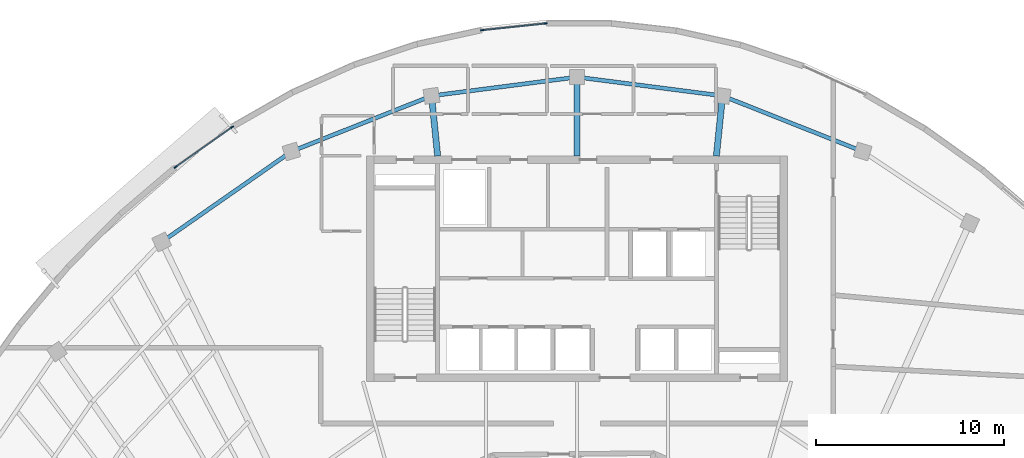
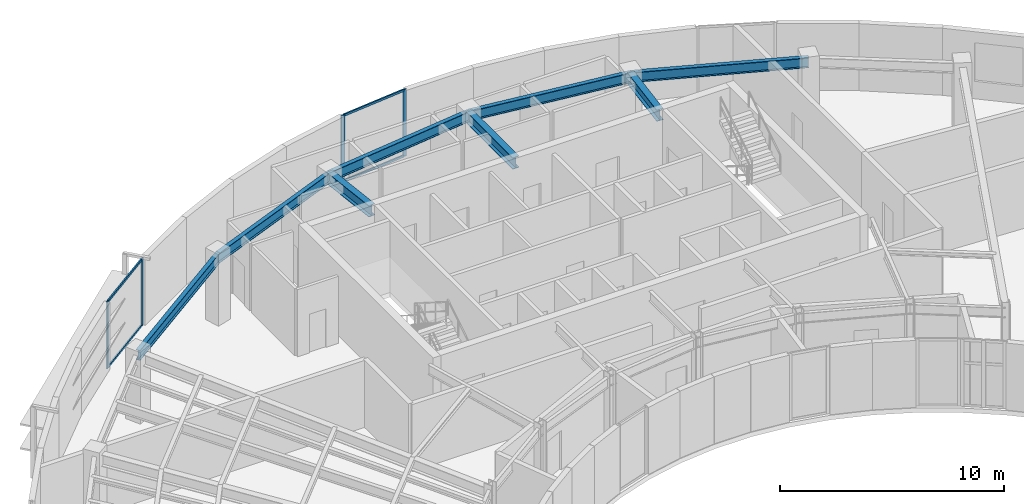
# One storey, part 4 of 12: 8 beams, 8 members, 2 elements without a shape of their own.
"""IFC4 building model written with IfcOpenShell, lengths in metres."""

from ifc_helpers import new_model, si_unit, direction, frame, origin, origin_2d, place, context, subcontext, project, spatial, rectangle, i_section, extrude, source, transform, mapped, material, layer, layer_set, material_profile, profile_set, type_object, element, aggregate, save


model = new_model("IFC4")

# Units and contexts
model_context = context("Model", 3, precision=1e-05, world=origin(), true_north=direction((0.0, 1.0)))
body_context = subcontext(model_context, "Body", "Model", "MODEL_VIEW")
ifc_project = project(units=[si_unit("LENGTHUNIT", "METRE"), si_unit("AREAUNIT", "SQUARE_METRE"), si_unit("VOLUMEUNIT", "CUBIC_METRE"), si_unit("PLANEANGLEUNIT", "RADIAN"), si_unit("MASSUNIT", "GRAM", prefix="KILO")], contexts=[model_context])

# Site, building, storey
site_placement = place(None, origin())
site = spatial("IfcSite", under=ifc_project, at=site_placement, CompositionType="ELEMENT")
building_placement = place(site_placement, origin())
building = spatial("IfcBuilding", under=site, at=building_placement, Name="Breltana Convention Tower", CompositionType="ELEMENT")
storey_placement = place(building_placement, frame((0.0, 0.0, 264.0)))
storey = spatial("IfcBuildingStorey", under=building, at=storey_placement, Name="L64", CompositionType="ELEMENT", Elevation=264.0)

# Beams
ifc_material_1 = material(Name="Steel ASTM A992 Grade 50", Category="steel")
ifc_material_profile_1 = material_profile(ifc_material_1, i_section(OverallWidth=0.326904296875, OverallDepth=0.6220703125, WebThickness=0.015380859375, FlangeThickness=0.0244140625, at=origin_2d()), Name="W24X131")
ifc_profile_set_1 = profile_set([ifc_material_profile_1], Name="Steel ASTM A992 Grade 50")
beam_type_1 = type_object("IfcBeamType", Name="BM-RG-W24X131", PredefinedType="USERDEFINED", material=ifc_profile_set_1)
shared_shape_1 = source(origin(), body_context, "Body", "SweptSolid", [
    extrude(i_section(OverallWidth=0.326904296875, OverallDepth=0.6220703125, WebThickness=0.015380859375, FlangeThickness=0.0244140625, at=origin_2d()), origin(), (0.0, 0.0, 1.0), 3.220947265625),
])
for number, where, z_axis, x_axis, name in (
    (1, (40.580078125, 72.199951171875, 3.339111328125), (-0.101492254858, 0.994836329355, 0.0), (-0.994836329355, -0.101492254858, 0.0), "L64 North Core Radial Girder R05"),
    (2, (55.419921875, 72.199951171875, 3.339111328125), (0.101492254858, 0.994836329355, 0.0), (-0.994836329355, 0.101492254858, 0.0), "L64 North Core Radial Girder R07"),
):
    element("IfcBeam", number, at=place(storey_placement, frame(where, z_axis=z_axis, x_axis=x_axis)), inside=storey, type_object=beam_type_1, Name=name, ObjectType="GIRDER", PredefinedType="USERDEFINED", context=body_context, shape_type="MappedRepresentation", body=[
        mapped(shared_shape_1, transform((0.0, 0.0, 0.0), scale=1.0)),
    ])
shared_shape_2 = source(origin(), body_context, "Body", "SweptSolid", [
    extrude(i_section(OverallWidth=0.326904296875, OverallDepth=0.6220703125, WebThickness=0.015380859375, FlangeThickness=0.0244140625, at=origin_2d()), origin(), (0.0, 0.0, 1.0), 4.2041015625),
])
beam_1_placement = place(storey_placement, frame((48.0, 72.199951171875, 3.339111328125), z_axis=(0.0, 1.0, 0.0), x_axis=(-1.0, 0.0, 0.0)))
element("IfcBeam", 3, at=beam_1_placement, inside=storey, type_object=beam_type_1, Name="L64 North Core Radial Girder R06", ObjectType="GIRDER", PredefinedType="USERDEFINED", context=body_context, shape_type="MappedRepresentation", body=[
    mapped(shared_shape_2, transform((0.0, 0.0, 0.0), scale=1.0)),
])
ifc_material_profile_2 = material_profile(ifc_material_1, i_section(OverallWidth=0.214111328125, OverallDepth=0.549072265625, WebThickness=0.0146484375, FlangeThickness=0.023681640625, at=origin_2d()), Name="W21X93")
ifc_profile_set_2 = profile_set([ifc_material_profile_2], Name="Steel ASTM A992 Grade 50")
beam_type_2 = type_object("IfcBeamType", Name="BM-SP-W21X93", PredefinedType="SPANDREL", material=ifc_profile_set_2)
shared_shape_3 = source(origin(), body_context, "Body", "SweptSolid", [
    extrude(i_section(OverallWidth=0.214111328125, OverallDepth=0.549072265625, WebThickness=0.0146484375, FlangeThickness=0.023681640625, at=origin_2d()), origin(), (0.0, 0.0, 1.0), 8.4169921875),
])
beam_2_placement = place(storey_placement, frame((25.8876953125, 67.626953125, 3.37548828125), z_axis=(0.820173800102, 0.572114444519, 0.0), x_axis=(-0.572114444519, 0.820173800102, 0.0)))
element("IfcBeam", 4, at=beam_2_placement, inside=storey, type_object=beam_type_2, Name="L64 Outer Spandrel Beam 03", PredefinedType="SPANDREL", context=body_context, shape_type="MappedRepresentation", body=[
    mapped(shared_shape_3, transform((0.0, 0.0, 0.0), scale=1.0)),
])
shared_shape_4 = source(origin(), body_context, "Body", "SweptSolid", [
    extrude(i_section(OverallWidth=0.214111328125, OverallDepth=0.549072265625, WebThickness=0.0146484375, FlangeThickness=0.023681640625, at=origin_2d()), origin(), (0.0, 0.0, 1.0), 8.028564453125),
])
for number, where, z_axis, x_axis, name in (
    (5, (32.791015625, 72.4423828125, 3.37548828125), (0.929459100394, 0.368925169507, 0.0), (-0.368925169507, 0.929459100394, 0.0), "L64 Outer Spandrel Beam 04"),
    (6, (55.746826171875, 75.404296875, 3.37548828125), (0.929459100394, -0.368925169507, 0.0), (0.368925169507, 0.929459100394, 0.0), "L64 Outer Spandrel Beam 07"),
):
    element("IfcBeam", number, at=place(storey_placement, frame(where, z_axis=z_axis, x_axis=x_axis)), inside=storey, type_object=beam_type_2, Name=name, PredefinedType="SPANDREL", context=body_context, shape_type="MappedRepresentation", body=[
        mapped(shared_shape_4, transform((0.0, 0.0, 0.0), scale=1.0)),
    ])
shared_shape_5 = source(origin(), body_context, "Body", "SweptSolid", [
    extrude(i_section(OverallWidth=0.214111328125, OverallDepth=0.549072265625, WebThickness=0.0146484375, FlangeThickness=0.023681640625, at=origin_2d()), origin(), (0.0, 0.0, 1.0), 7.81103515625),
])
for number, where, z_axis, x_axis, name in (
    (7, (40.253173828125, 75.404296875, 3.37548828125), (0.991775179127, 0.127992164083, 0.0), (-0.127992164083, 0.991775179127, 0.0), "L64 Outer Spandrel Beam 05"),
    (8, (48.0, 76.404052734375, 3.37548828125), (0.991775179127, -0.127992164083, 0.0), (0.127992164083, 0.991775179127, 0.0), "L64 Outer Spandrel Beam 06"),
):
    element("IfcBeam", number, at=place(storey_placement, frame(where, z_axis=z_axis, x_axis=x_axis)), inside=storey, type_object=beam_type_2, Name=name, PredefinedType="SPANDREL", context=body_context, shape_type="MappedRepresentation", body=[
        mapped(shared_shape_5, transform((0.0, 0.0, 0.0), scale=1.0)),
    ])

# Curtain wall, members
ifc_material_2 = material(Name="Aluminium Anodised Bronze Frame", Category="aluminium")
ifc_layer = layer(ifc_material_2, 0.22998046875, Name="Aluminium Anodised Bronze Frame")
ifc_layer_set = layer_set([ifc_layer], Name="Aluminium Anodised Bronze Frame")
curtain_wall_type = type_object("IfcCurtainWallType", Name="CW-SYS-5", PredefinedType="NOTDEFINED", material=ifc_layer_set)
curtain_wall_1_placement = place(storey_placement, origin())
curtain_wall_1 = element("IfcCurtainWall", 9, at=curtain_wall_1_placement, inside=storey, type_object=curtain_wall_type, Name="L64 outer double-skin inner glazing 2", PredefinedType="NOTDEFINED")
ifc_material_3 = material(Name="Aluminium Anodised Bronze", Category="aluminium")
ifc_material_profile_3 = material_profile(ifc_material_3, rectangle(XDim=0.070068359375, YDim=0.175048828125, at=origin_2d()), Name="CWM-70X175")
ifc_profile_set_3 = profile_set([ifc_material_profile_3], Name="Aluminium Anodised Bronze")
member_type_1 = type_object("IfcMemberType", Name="CWM-175", PredefinedType="MULLION", material=ifc_profile_set_3)
shared_shape_6 = source(origin(), body_context, "Body", "SweptSolid", [
    extrude(rectangle(XDim=0.070068359375, YDim=0.175048828125, at=origin_2d()), origin(), (0.0, 0.0, 1.0), 3.64990234375),
])
member_1_placement = place(storey_placement, frame((26.624267578125, 71.61181640625, 0.0), z_axis=(0.0, 0.0, 1.0), x_axis=(-0.576623562452, 0.817009955402, 0.0)))
member_1 = element("IfcMember", 10, at=member_1_placement, type_object=member_type_1, Name="CW-05 mullion 1", PredefinedType="MULLION", context=body_context, shape_type="MappedRepresentation", body=[
    mapped(shared_shape_6, transform((0.0, 0.0, 0.0), scale=1.0)),
])
member_2_placement = place(storey_placement, frame((29.633056640625, 73.7353515625, 0.0), z_axis=(0.0, 0.0, 1.0), x_axis=(-0.576623562452, 0.817009955402, 0.0)))
member_2 = element("IfcMember", 11, at=member_2_placement, type_object=member_type_1, Name="CW-05 mullion 2", PredefinedType="MULLION", context=body_context, shape_type="MappedRepresentation", body=[
    mapped(shared_shape_6, transform((0.0, 0.0, 0.0), scale=1.0)),
])

curtain_wall_2_placement = place(storey_placement, origin())
curtain_wall_2 = element("IfcCurtainWall", 12, at=curtain_wall_2_placement, inside=storey, type_object=curtain_wall_type, Name="L64 outer double-skin inner glazing 3", PredefinedType="NOTDEFINED")
member_3_placement = place(storey_placement, frame((42.94677734375, 78.9013671875, 0.0), z_axis=(0.0, 0.0, 1.0), x_axis=(-0.105448335932, 0.994424782701, 0.0)))
member_3 = element("IfcMember", 13, at=member_3_placement, type_object=member_type_1, Name="CW-05 mullion 1", PredefinedType="MULLION", context=body_context, shape_type="MappedRepresentation", body=[
    mapped(shared_shape_6, transform((0.0, 0.0, 0.0), scale=1.0)),
])
member_4_placement = place(storey_placement, frame((46.32763671875, 79.260009765625, 0.0), z_axis=(0.0, 0.0, 1.0), x_axis=(-0.105448335932, 0.994424782701, 0.0)))
member_4 = element("IfcMember", 14, at=member_4_placement, type_object=member_type_1, Name="CW-05 mullion 2", PredefinedType="MULLION", context=body_context, shape_type="MappedRepresentation", body=[
    mapped(shared_shape_6, transform((0.0, 0.0, 0.0), scale=1.0)),
])

# Member
ifc_material_profile_4 = material_profile(ifc_material_3, rectangle(XDim=0.070068359375, YDim=0.1201171875, at=origin_2d()), Name="CWT-70X120")
ifc_profile_set_4 = profile_set([ifc_material_profile_4], Name="Aluminium Anodised Bronze")
member_type_2 = type_object("IfcMemberType", Name="CWT-120", PredefinedType="USERDEFINED", material=ifc_profile_set_4)
shared_shape_7 = source(origin(), body_context, "Body", "SweptSolid", [
    extrude(rectangle(XDim=0.070068359375, YDim=0.1201171875, at=origin_2d()), origin(), (0.0, 0.0, 1.0), 3.61279296875),
])
member_5_placement = place(storey_placement, frame((26.65283203125, 71.632080078125, 0.034912109375), z_axis=(0.817003444872, 0.576632787021, 0.0), x_axis=(-0.576632787021, 0.817003444872, 0.0)))
member_5 = element("IfcMember", 15, at=member_5_placement, type_object=member_type_2, Name="CW-05 transom 1.1", ObjectType="TRANSOM", PredefinedType="USERDEFINED", context=body_context, shape_type="MappedRepresentation", body=[
    mapped(shared_shape_7, transform((0.0, 0.0, 0.0), scale=1.0)),
])

member_6_placement = place(storey_placement, frame((26.65283203125, 71.632080078125, 3.614990234375), z_axis=(0.817003444872, 0.576632787021, 0.0), x_axis=(-0.576632787021, 0.817003444872, 0.0)))
member_6 = element("IfcMember", 16, at=member_6_placement, type_object=member_type_2, Name="CW-05 transom 1.2", ObjectType="TRANSOM", PredefinedType="USERDEFINED", context=body_context, shape_type="MappedRepresentation", body=[
    mapped(shared_shape_7, transform((0.0, 0.0, 0.0), scale=1.0)),
])

aggregate(curtain_wall_1, [member_1, member_2, member_5, member_6])

shared_shape_8 = source(origin(), body_context, "Body", "SweptSolid", [
    extrude(rectangle(XDim=0.070068359375, YDim=0.1201171875, at=origin_2d()), origin(), (0.0, 0.0, 1.0), 3.330078125),
])
member_7_placement = place(storey_placement, frame((42.9814453125, 78.905029296875, 0.034912109375), z_axis=(0.99442724385, 0.105425123611, 0.0), x_axis=(-0.105425123611, 0.99442724385, 0.0)))
member_7 = element("IfcMember", 17, at=member_7_placement, type_object=member_type_2, Name="CW-05 transom 1.1", ObjectType="TRANSOM", PredefinedType="USERDEFINED", context=body_context, shape_type="MappedRepresentation", body=[
    mapped(shared_shape_8, transform((0.0, 0.0, 0.0), scale=1.0)),
])

member_8_placement = place(storey_placement, frame((42.9814453125, 78.905029296875, 3.614990234375), z_axis=(0.99442724385, 0.105425123611, 0.0), x_axis=(-0.105425123611, 0.99442724385, 0.0)))
member_8 = element("IfcMember", 18, at=member_8_placement, type_object=member_type_2, Name="CW-05 transom 1.2", ObjectType="TRANSOM", PredefinedType="USERDEFINED", context=body_context, shape_type="MappedRepresentation", body=[
    mapped(shared_shape_8, transform((0.0, 0.0, 0.0), scale=1.0)),
])

aggregate(curtain_wall_2, [member_3, member_4, member_7, member_8])

save(model, "model.ifc")
